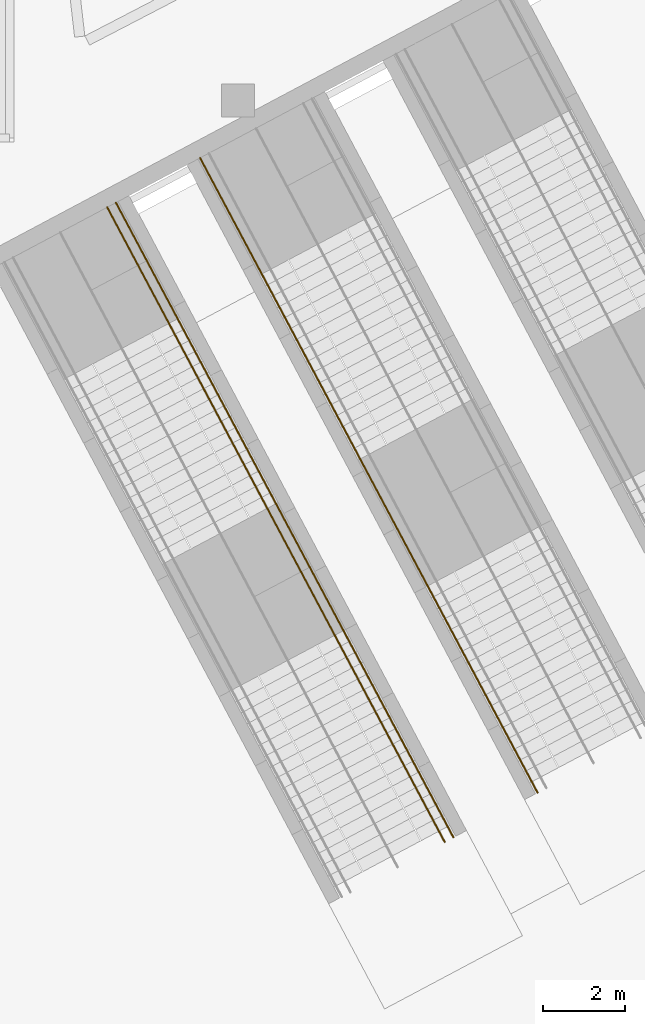
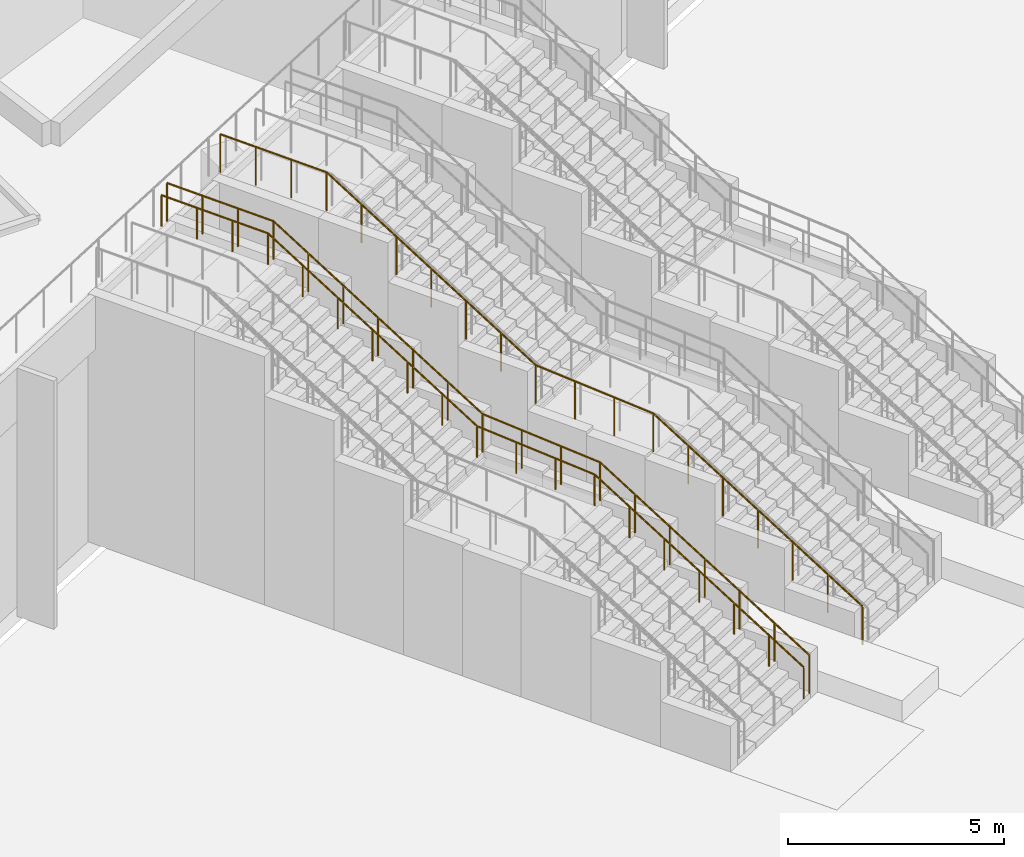
# One storey, part 47 of 57: 3 railings.
"""IFC4 building model written with IfcOpenShell, lengths in metres."""

import ifcopenshell
import ifcopenshell.guid

model = None  # the IFC model being written
_history = None  # IfcOwnerHistory: only IFC2X3 demands one
_inside = {}  # id of a spatial element -> (the spatial element, [elements in it])
_under = {}  # id of a project, library or spatial element -> (it, [spatial elements below it])
_declared = {}  # id of a project -> (the project, [libraries it declares])
_typed = {}  # id of a type object -> (the type object, [elements of that type])
_made_of = {}  # id of a material, layer set ... -> (it, [elements and type objects made of it])


def new_model(schema):
    """Start an empty IFC model of exactly this schema.

    Asked for "IFC4X3", IfcOpenShell would pick the latest addendum, in which some entities
    have other attributes; the version numbers below select the first issue.
    IFC2X3 requires an IfcOwnerHistory on every rooted entity: one is made here for all.
    """
    global model, _history
    if schema == "IFC4X3":
        model = ifcopenshell.file(schema_version=(4, 3, 0, 0))
    else:
        model = ifcopenshell.file(schema=schema)
    _inside.clear()
    _under.clear()
    _declared.clear()
    _typed.clear()
    _made_of.clear()
    _history = None
    if model.schema == "IFC2X3":
        org = make("IfcOrganization", Name="unknown")
        user = make(
            "IfcPersonAndOrganization",
            ThePerson=make("IfcPerson", FamilyName="unknown"),
            TheOrganization=org,
        )
        app = make(
            "IfcApplication",
            ApplicationDeveloper=org,
            Version="unknown",
            ApplicationFullName="unknown",
            ApplicationIdentifier="unknown",
        )
        _history = make(
            "IfcOwnerHistory",
            OwningUser=user,
            OwningApplication=app,
            ChangeAction="ADDED",
            CreationDate=0,
        )
    return model


def make(cls, **values):
    """One entity of the class cls with the attributes given. An attribute that is None is left unset."""
    return model.create_entity(
        cls, **{name: value for name, value in values.items() if value is not None}
    )


def rooted(cls, **values):
    """An entity with a GlobalId (a new one), such as an element, a storey or a relation."""
    return make(cls, GlobalId=ifcopenshell.guid.new(), OwnerHistory=_history, **values)


def si_unit(unit_type, name, prefix=None):
    """IfcSIUnit, for example si_unit("LENGTHUNIT", "METRE", prefix="MILLI")."""
    return make("IfcSIUnit", UnitType=unit_type, Prefix=prefix, Name=name)


def assignment(units):
    """IfcUnitAssignment: the units of a project."""
    return None if units is None else make("IfcUnitAssignment", Units=units)


def point(xyz):
    """IfcCartesianPoint."""
    return None if xyz is None else make("IfcCartesianPoint", Coordinates=xyz)


def direction(xyz):
    """IfcDirection."""
    return None if xyz is None else make("IfcDirection", DirectionRatios=xyz)


def frame(location, z_axis=None, x_axis=None):
    """IfcAxis2Placement3D, a coordinate frame: its origin and axes. An axis left out is left unset."""
    return make(
        "IfcAxis2Placement3D",
        Location=point(location),
        Axis=direction(z_axis),
        RefDirection=direction(x_axis),
    )


def origin():
    """The frame at (0, 0, 0) with its axes left unset."""
    return frame((0.0, 0.0, 0.0))


def place(relative_to, where):
    """IfcLocalPlacement: puts the frame where relative to a parent placement (None: the world)."""
    return make(
        "IfcLocalPlacement", PlacementRelTo=relative_to, RelativePlacement=where
    )


def context(
    kind, dimensions, precision=None, world=None, true_north=None, identifier=None
):
    """IfcGeometricRepresentationContext, for example the 3D "Model" context."""
    return make(
        "IfcGeometricRepresentationContext",
        ContextIdentifier=identifier,
        ContextType=kind,
        CoordinateSpaceDimension=dimensions,
        Precision=precision,
        WorldCoordinateSystem=world,
        TrueNorth=true_north,
    )


def subcontext(parent, identifier, kind, view, scale=None):
    """IfcGeometricRepresentationSubContext, for example "Body" below "Model"."""
    return make(
        "IfcGeometricRepresentationSubContext",
        ContextIdentifier=identifier,
        ContextType=kind,
        ParentContext=parent,
        TargetScale=scale,
        TargetView=view,
    )


def project(units=None, contexts=None):
    """IfcProject with its units and contexts."""
    return rooted(
        "IfcProject",
        Name="project",
        RepresentationContexts=contexts,
        UnitsInContext=assignment(units),
    )


def spatial(cls, under=None, at=None, **own):
    """A site, building, storey or space (cls), placed at a placement, below another one or the project."""
    s = rooted(cls, ObjectPlacement=at, **own)
    if under is not None:
        _under.setdefault(under.id(), (under, []))[1].append(s)
    return s


def polyline(points):
    """IfcPolyline through the points."""
    return make("IfcPolyline", Points=[point(p) for p in points])


def outline(outer, holes=None, kind="AREA"):
    """IfcArbitraryClosedProfileDef: a profile drawn as a closed curve; with holes, ...WithVoids."""
    if holes is None:
        return make("IfcArbitraryClosedProfileDef", ProfileType=kind, OuterCurve=outer)
    return make(
        "IfcArbitraryProfileDefWithVoids",
        ProfileType=kind,
        OuterCurve=outer,
        InnerCurves=holes,
    )


def extrude(swept, where, along, depth):
    """IfcExtrudedAreaSolid: the profile swept, set in the frame where, extruded along a direction by depth."""
    return make(
        "IfcExtrudedAreaSolid",
        SweptArea=swept,
        Position=where,
        ExtrudedDirection=direction(along),
        Depth=depth,
    )


def shape(context_of_items, identifier, shape_type, items):
    """IfcShapeRepresentation: the items that make up one representation, for example the "Body"."""
    return make(
        "IfcShapeRepresentation",
        ContextOfItems=context_of_items,
        RepresentationIdentifier=identifier,
        RepresentationType=shape_type,
        Items=items,
    )


def material(Name=None, Category=None):
    """IfcMaterial."""
    return make("IfcMaterial", Name=Name, Category=Category)


def made_of(thing, what):
    """Note that an element or type object is made of a material, layer set ...; save() writes the relation."""
    if what is not None:
        _made_of.setdefault(what.id(), (what, []))[1].append(thing)
    return thing


def type_object(cls, material=None, **own):
    """A type object (cls), such as IfcWallType, which elements share."""
    return made_of(rooted(cls, **own), material)


def element(
    cls,
    number,
    at=None,
    inside=None,
    cuts=None,
    type_object=None,
    material=None,
    context=None,
    identifier="Body",
    shape_type=None,
    held_by="IfcProductDefinitionShape",
    body=None,
    shapes=None,
    **own,
):
    """One element of the class cls, such as IfcWall. Its Tag is "e" and its number.

    at: its placement. inside: the storey or other place that contains it. cuts: it is an
    opening in that element (IfcRelVoidsElement). A single representation is given by context,
    identifier, shape_type and body (its items); several are given by shapes. held_by: the class
    of the entity that holds the representations. save() writes the other relations.
    """
    e = rooted(cls, Tag="e%d" % number, ObjectPlacement=at, **own)
    if body is not None:
        shapes = [shape(context, identifier, shape_type, body)]
    if shapes is not None:
        e.Representation = make(held_by, Representations=shapes)
    if inside is not None:
        _inside.setdefault(inside.id(), (inside, []))[1].append(e)
    if cuts is not None:
        rooted(
            "IfcRelVoidsElement", RelatingBuildingElement=cuts, RelatedOpeningElement=e
        )
    if type_object is not None:
        _typed.setdefault(type_object.id(), (type_object, []))[1].append(e)
    return made_of(e, material)


def aggregate(whole, parts):
    """IfcRelAggregates: a whole, such as a stair, and the parts it consists of."""
    return rooted("IfcRelAggregates", RelatingObject=whole, RelatedObjects=parts)


def save(model, path):
    """Write the relations noted so far, then the file.

    IfcRelAggregates (storeys below a building ...), IfcRelContainedInSpatialStructure (elements
    in a storey), IfcRelDefinesByType, IfcRelAssociatesMaterial and IfcRelDeclares: one each for
    every whole, place, type object, material and project.
    """
    for whole, parts in _under.values():
        aggregate(whole, parts)
    for where, things in _inside.values():
        rooted(
            "IfcRelContainedInSpatialStructure",
            RelatedElements=things,
            RelatingStructure=where,
        )
    for kind, things in _typed.values():
        rooted("IfcRelDefinesByType", RelatedObjects=things, RelatingType=kind)
    for what, things in _made_of.values():
        rooted("IfcRelAssociatesMaterial", RelatedObjects=things, RelatingMaterial=what)
    for by, libraries in _declared.values():
        rooted("IfcRelDeclares", RelatingContext=by, RelatedDefinitions=libraries)
    model.write(path)


model = new_model("IFC4")

# Units and contexts
model_context = context("Model", 3, precision=1e-05, world=origin(), true_north=direction((0.0, 1.0)))
body_context = subcontext(model_context, "Body", "Model", "MODEL_VIEW")
ifc_project = project(units=[si_unit("LENGTHUNIT", "METRE"), si_unit("AREAUNIT", "SQUARE_METRE"), si_unit("VOLUMEUNIT", "CUBIC_METRE"), si_unit("PLANEANGLEUNIT", "RADIAN"), si_unit("MASSUNIT", "GRAM", prefix="KILO")], contexts=[model_context])

# Site, building, storey
site_placement = place(None, origin())
site = spatial("IfcSite", under=ifc_project, at=site_placement, CompositionType="ELEMENT")
building_placement = place(site_placement, origin())
building = spatial("IfcBuilding", under=site, at=building_placement, Name="Cormorant Relay Tower", CompositionType="ELEMENT")
storey_placement = place(building_placement, origin())
storey = spatial("IfcBuildingStorey", under=building, at=storey_placement, Name="L00", CompositionType="ELEMENT", Elevation=0.0)

# Railings
ifc_material_1 = material(Name="Stainless steel 316", Category="steel")
railing_type_1 = type_object("IfcRailingType", Name="Podium stair handrail 900", PredefinedType="HANDRAIL", material=ifc_material_1)
railing_1_placement = place(storey_placement, frame((39.602783203125, -16.317626953125, 7.0)))
element("IfcRailing", 1, at=railing_1_placement, inside=storey, type_object=railing_type_1, Name="Stair handrail", PredefinedType="HANDRAIL", context=body_context, shape_type="SweptSolid", body=[
    extrude(outline(polyline([(0.022216796875, 0.00927734375), (0.00927734375, 0.022216796875), (-0.00927734375, 0.022216796875), (-0.022216796875, 0.00927734375), (-0.022216796875, -0.00927734375), (-0.00927734375, -0.022216796875), (0.00927734375, -0.022216796875), (0.022216796875, -0.00927734375), (0.022216796875, 0.00927734375)])), frame((0.0, 0.0, 0.8759765625), z_axis=(0.469399355339, -0.882985982452, 0.0), x_axis=(0.882985982452, 0.469399355339, 0.0)), (0.0, 0.0, 1.0), 2.900146484375),
    extrude(outline(polyline([(0.022216796875, 0.00927734375), (0.00927734375, 0.022216796875), (-0.00927734375, 0.022216796875), (-0.022216796875, 0.00927734375), (-0.022216796875, -0.00927734375), (-0.00927734375, -0.022216796875), (0.00927734375, -0.022216796875), (0.022216796875, -0.00927734375), (0.022216796875, 0.00927734375)])), frame((1.361328125, -2.560791015625, 0.8759765625), z_axis=(0.40552993965, -0.762667108471, -0.50386937762), x_axis=(0.882941524652, 0.469482975245, 0.0)), (0.0, 0.0, 1.0), 6.598876953125),
    extrude(outline(polyline([(0.022216796875, 0.00927734375), (0.00927734375, 0.022216796875), (-0.00927734375, 0.022216796875), (-0.022216796875, 0.00927734375), (-0.022216796875, -0.00927734375), (-0.00927734375, -0.022216796875), (0.00927734375, -0.022216796875), (0.022216796875, -0.00927734375), (0.022216796875, 0.00927734375)])), frame((4.037353515625, -7.593505859375, -2.44921875), z_axis=(0.468742586737, -0.881644394004, -0.054621881146), x_axis=(0.88296255937, 0.469443413791, 0.0)), (0.0, 0.0, 1.0), 3.204833984375),
    extrude(outline(polyline([(0.022216796875, 0.00927734375), (0.00927734375, 0.022216796875), (-0.00927734375, 0.022216796875), (-0.022216796875, 0.00927734375), (-0.022216796875, -0.00927734375), (-0.00927734375, -0.022216796875), (0.00927734375, -0.022216796875), (0.022216796875, -0.00927734375), (0.022216796875, 0.00927734375)])), frame((5.53955078125, -10.4189453125, -2.6240234375), z_axis=(0.40552993965, -0.762667108471, -0.50386937762), x_axis=(0.882941524652, 0.469482975245, 0.0)), (0.0, 0.0, 1.0), 6.598876953125),
    extrude(outline(polyline([(0.019287109375, 0.008056640625), (0.008056640625, 0.019287109375), (-0.008056640625, 0.019287109375), (-0.019287109375, 0.008056640625), (-0.019287109375, -0.008056640625), (-0.008056640625, -0.019287109375), (0.008056640625, -0.019287109375), (0.019287109375, -0.008056640625), (0.019287109375, 0.008056640625)])), origin(), (0.0, 0.0, 1.0), 0.851806640625),
    extrude(outline(polyline([(0.019287109375, 0.008056640625), (0.008056640625, 0.019287109375), (-0.008056640625, 0.019287109375), (-0.019287109375, 0.008056640625), (-0.019287109375, -0.008056640625), (-0.008056640625, -0.019287109375), (0.008056640625, -0.019287109375), (0.019287109375, -0.008056640625), (0.019287109375, 0.008056640625)])), frame((0.453857421875, -0.853515625, 0.0)), (0.0, 0.0, 1.0), 0.851806640625),
    extrude(outline(polyline([(0.019287109375, 0.008056640625), (0.008056640625, 0.019287109375), (-0.008056640625, 0.019287109375), (-0.019287109375, 0.008056640625), (-0.019287109375, -0.008056640625), (-0.008056640625, -0.019287109375), (0.008056640625, -0.019287109375), (0.019287109375, -0.008056640625), (0.019287109375, 0.008056640625)])), frame((0.907470703125, -1.707275390625, 0.0)), (0.0, 0.0, 1.0), 0.851806640625),
    extrude(outline(polyline([(0.019287109375, 0.008056640625), (0.008056640625, 0.019287109375), (-0.008056640625, 0.019287109375), (-0.019287109375, 0.008056640625), (-0.019287109375, -0.008056640625), (-0.008056640625, -0.019287109375), (0.008056640625, -0.019287109375), (0.019287109375, -0.008056640625), (0.019287109375, 0.008056640625)])), frame((1.361328125, -2.560791015625, 0.0)), (0.0, 0.0, 1.0), 0.851806640625),
    extrude(outline(polyline([(0.019287109375, 0.008056640625), (0.008056640625, 0.019287109375), (-0.008056640625, 0.019287109375), (-0.019287109375, 0.008056640625), (-0.019287109375, -0.008056640625), (-0.008056640625, -0.019287109375), (0.008056640625, -0.019287109375), (0.019287109375, -0.008056640625), (0.019287109375, 0.008056640625)])), frame((1.807373046875, -3.399658203125, -0.55419921875)), (0.0, 0.0, 1.0), 0.851806640625),
    extrude(outline(polyline([(0.019287109375, 0.008056640625), (0.008056640625, 0.019287109375), (-0.008056640625, 0.019287109375), (-0.019287109375, 0.008056640625), (-0.019287109375, -0.008056640625), (-0.008056640625, -0.019287109375), (0.008056640625, -0.019287109375), (0.019287109375, -0.008056640625), (0.019287109375, 0.008056640625)])), frame((2.25341796875, -4.23828125, -1.1083984375)), (0.0, 0.0, 1.0), 0.851806640625),
    extrude(outline(polyline([(0.019287109375, 0.008056640625), (0.008056640625, 0.019287109375), (-0.008056640625, 0.019287109375), (-0.019287109375, 0.008056640625), (-0.019287109375, -0.008056640625), (-0.008056640625, -0.019287109375), (0.008056640625, -0.019287109375), (0.019287109375, -0.008056640625), (0.019287109375, 0.008056640625)])), frame((2.69921875, -5.0771484375, -1.66259765625)), (0.0, 0.0, 1.0), 0.851806640625),
    extrude(outline(polyline([(0.019287109375, 0.008056640625), (0.008056640625, 0.019287109375), (-0.008056640625, 0.019287109375), (-0.019287109375, 0.008056640625), (-0.019287109375, -0.008056640625), (-0.008056640625, -0.019287109375), (0.008056640625, -0.019287109375), (0.019287109375, -0.008056640625), (0.019287109375, 0.008056640625)])), frame((3.145263671875, -5.916015625, -2.216552734375)), (0.0, 0.0, 1.0), 0.851806640625),
    extrude(outline(polyline([(0.019287109375, 0.008056640625), (0.008056640625, 0.019287109375), (-0.008056640625, 0.019287109375), (-0.019287109375, 0.008056640625), (-0.019287109375, -0.008056640625), (-0.008056640625, -0.019287109375), (0.008056640625, -0.019287109375), (0.019287109375, -0.008056640625), (0.019287109375, 0.008056640625)])), frame((3.59130859375, -6.754638671875, -2.770751953125)), (0.0, 0.0, 1.0), 0.851806640625),
    extrude(outline(polyline([(0.019287109375, 0.008056640625), (0.008056640625, 0.019287109375), (-0.008056640625, 0.019287109375), (-0.019287109375, 0.008056640625), (-0.019287109375, -0.008056640625), (-0.008056640625, -0.019287109375), (0.008056640625, -0.019287109375), (0.019287109375, -0.008056640625), (0.019287109375, 0.008056640625)])), frame((4.037353515625, -7.593505859375, -3.324951171875)), (0.0, 0.0, 1.0), 0.851806640625),
    extrude(outline(polyline([(0.019287109375, 0.008056640625), (0.008056640625, 0.019287109375), (-0.008056640625, 0.019287109375), (-0.019287109375, 0.008056640625), (-0.019287109375, -0.008056640625), (-0.008056640625, -0.019287109375), (0.008056640625, -0.019287109375), (0.019287109375, -0.008056640625), (0.019287109375, 0.008056640625)])), frame((4.5380859375, -8.535400390625, -3.38330078125)), (0.0, 0.0, 1.0), 0.851806640625),
    extrude(outline(polyline([(0.019287109375, 0.008056640625), (0.008056640625, 0.019287109375), (-0.008056640625, 0.019287109375), (-0.019287109375, 0.008056640625), (-0.019287109375, -0.008056640625), (-0.008056640625, -0.019287109375), (0.008056640625, -0.019287109375), (0.019287109375, -0.008056640625), (0.019287109375, 0.008056640625)])), frame((5.038818359375, -9.47705078125, -3.441650390625)), (0.0, 0.0, 1.0), 0.851806640625),
    extrude(outline(polyline([(0.019287109375, 0.008056640625), (0.008056640625, 0.019287109375), (-0.008056640625, 0.019287109375), (-0.019287109375, 0.008056640625), (-0.019287109375, -0.008056640625), (-0.008056640625, -0.019287109375), (0.008056640625, -0.019287109375), (0.019287109375, -0.008056640625), (0.019287109375, 0.008056640625)])), frame((5.53955078125, -10.4189453125, -3.5)), (0.0, 0.0, 1.0), 0.851806640625),
    extrude(outline(polyline([(0.019287109375, 0.008056640625), (0.008056640625, 0.019287109375), (-0.008056640625, 0.019287109375), (-0.019287109375, 0.008056640625), (-0.019287109375, -0.008056640625), (-0.008056640625, -0.019287109375), (0.008056640625, -0.019287109375), (0.019287109375, -0.008056640625), (0.019287109375, 0.008056640625)])), frame((5.985595703125, -11.2578125, -4.05419921875)), (0.0, 0.0, 1.0), 0.851806640625),
    extrude(outline(polyline([(0.019287109375, 0.008056640625), (0.008056640625, 0.019287109375), (-0.008056640625, 0.019287109375), (-0.019287109375, 0.008056640625), (-0.019287109375, -0.008056640625), (-0.008056640625, -0.019287109375), (0.008056640625, -0.019287109375), (0.019287109375, -0.008056640625), (0.019287109375, 0.008056640625)])), frame((6.431640625, -12.096435546875, -4.6083984375)), (0.0, 0.0, 1.0), 0.851806640625),
    extrude(outline(polyline([(0.019287109375, 0.008056640625), (0.008056640625, 0.019287109375), (-0.008056640625, 0.019287109375), (-0.019287109375, 0.008056640625), (-0.019287109375, -0.008056640625), (-0.008056640625, -0.019287109375), (0.008056640625, -0.019287109375), (0.019287109375, -0.008056640625), (0.019287109375, 0.008056640625)])), frame((6.87744140625, -12.935302734375, -5.16259765625)), (0.0, 0.0, 1.0), 0.851806640625),
    extrude(outline(polyline([(0.019287109375, 0.008056640625), (0.008056640625, 0.019287109375), (-0.008056640625, 0.019287109375), (-0.019287109375, 0.008056640625), (-0.019287109375, -0.008056640625), (-0.008056640625, -0.019287109375), (0.008056640625, -0.019287109375), (0.019287109375, -0.008056640625), (0.019287109375, 0.008056640625)])), frame((7.323486328125, -13.774169921875, -5.716552734375)), (0.0, 0.0, 1.0), 0.851806640625),
    extrude(outline(polyline([(0.019287109375, 0.008056640625), (0.008056640625, 0.019287109375), (-0.008056640625, 0.019287109375), (-0.019287109375, 0.008056640625), (-0.019287109375, -0.008056640625), (-0.008056640625, -0.019287109375), (0.008056640625, -0.019287109375), (0.019287109375, -0.008056640625), (0.019287109375, 0.008056640625)])), frame((7.76953125, -14.61279296875, -6.270751953125)), (0.0, 0.0, 1.0), 0.851806640625),
    extrude(outline(polyline([(0.019287109375, 0.008056640625), (0.008056640625, 0.019287109375), (-0.008056640625, 0.019287109375), (-0.019287109375, 0.008056640625), (-0.019287109375, -0.008056640625), (-0.008056640625, -0.019287109375), (0.008056640625, -0.019287109375), (0.019287109375, -0.008056640625), (0.019287109375, 0.008056640625)])), frame((8.215576171875, -15.45166015625, -6.824951171875)), (0.0, 0.0, 1.0), 0.851806640625),
])
ifc_material_2 = material(Name="Bronze anodised aluminium", Category="aluminium")
railing_type_2 = type_object("IfcRailingType", Name="Stair guard steel 1100", PredefinedType="GUARDRAIL", material=ifc_material_2)
railing_2_placement = place(storey_placement, frame((39.814697265625, -16.205078125, 7.0)))
element("IfcRailing", 2, at=railing_2_placement, inside=storey, type_object=railing_type_2, Name="Stair guard", PredefinedType="GUARDRAIL", context=body_context, shape_type="SweptSolid", body=[
    extrude(outline(polyline([(0.022216796875, 0.00927734375), (0.00927734375, 0.022216796875), (-0.00927734375, 0.022216796875), (-0.022216796875, 0.00927734375), (-0.022216796875, -0.00927734375), (-0.00927734375, -0.022216796875), (0.00927734375, -0.022216796875), (0.022216796875, -0.00927734375), (0.022216796875, 0.00927734375)])), frame((0.0, 0.0, 1.076171875), z_axis=(0.469434248776, -0.882967432059, 0.0), x_axis=(0.882967432059, 0.469434248776, 0.0)), (0.0, 0.0, 1.0), 2.89990234375),
    extrude(outline(polyline([(0.022216796875, 0.00927734375), (0.00927734375, 0.022216796875), (-0.00927734375, 0.022216796875), (-0.022216796875, 0.00927734375), (-0.022216796875, -0.00927734375), (-0.00927734375, -0.022216796875), (0.00927734375, -0.022216796875), (0.022216796875, -0.00927734375), (0.022216796875, 0.00927734375)])), frame((1.361328125, -2.560546875, 1.076171875), z_axis=(0.40552993965, -0.762667108471, -0.50386937762), x_axis=(0.882941524652, 0.469482975245, 0.0)), (0.0, 0.0, 1.0), 6.598876953125),
    extrude(outline(polyline([(0.022216796875, 0.00927734375), (0.00927734375, 0.022216796875), (-0.00927734375, 0.022216796875), (-0.022216796875, 0.00927734375), (-0.022216796875, -0.00927734375), (-0.00927734375, -0.022216796875), (0.00927734375, -0.022216796875), (0.022216796875, -0.00927734375), (0.022216796875, 0.00927734375)])), frame((4.037353515625, -7.59326171875, -2.2490234375), z_axis=(0.468742586737, -0.881644394004, -0.054621881146), x_axis=(0.88296255937, 0.469443413791, 0.0)), (0.0, 0.0, 1.0), 3.204833984375),
    extrude(outline(polyline([(0.022216796875, 0.00927734375), (0.00927734375, 0.022216796875), (-0.00927734375, 0.022216796875), (-0.022216796875, 0.00927734375), (-0.022216796875, -0.00927734375), (-0.00927734375, -0.022216796875), (0.00927734375, -0.022216796875), (0.022216796875, -0.00927734375), (0.022216796875, 0.00927734375)])), frame((5.53955078125, -10.418701171875, -2.423828125), z_axis=(0.40552993965, -0.762667108471, -0.50386937762), x_axis=(0.882941524652, 0.469482975245, 0.0)), (0.0, 0.0, 1.0), 6.598876953125),
    extrude(outline(polyline([(0.019287109375, 0.008056640625), (0.008056640625, 0.019287109375), (-0.008056640625, 0.019287109375), (-0.019287109375, 0.008056640625), (-0.019287109375, -0.008056640625), (-0.008056640625, -0.019287109375), (0.008056640625, -0.019287109375), (0.019287109375, -0.008056640625), (0.019287109375, 0.008056640625)])), origin(), (0.0, 0.0, 1.0), 1.052001953125),
    extrude(outline(polyline([(0.019287109375, 0.008056640625), (0.008056640625, 0.019287109375), (-0.008056640625, 0.019287109375), (-0.019287109375, 0.008056640625), (-0.019287109375, -0.008056640625), (-0.008056640625, -0.019287109375), (0.008056640625, -0.019287109375), (0.019287109375, -0.008056640625), (0.019287109375, 0.008056640625)])), frame((0.453857421875, -0.853515625, 0.0)), (0.0, 0.0, 1.0), 1.052001953125),
    extrude(outline(polyline([(0.019287109375, 0.008056640625), (0.008056640625, 0.019287109375), (-0.008056640625, 0.019287109375), (-0.019287109375, 0.008056640625), (-0.019287109375, -0.008056640625), (-0.008056640625, -0.019287109375), (0.008056640625, -0.019287109375), (0.019287109375, -0.008056640625), (0.019287109375, 0.008056640625)])), frame((0.907470703125, -1.70703125, 0.0)), (0.0, 0.0, 1.0), 1.052001953125),
    extrude(outline(polyline([(0.019287109375, 0.008056640625), (0.008056640625, 0.019287109375), (-0.008056640625, 0.019287109375), (-0.019287109375, 0.008056640625), (-0.019287109375, -0.008056640625), (-0.008056640625, -0.019287109375), (0.008056640625, -0.019287109375), (0.019287109375, -0.008056640625), (0.019287109375, 0.008056640625)])), frame((1.361328125, -2.560546875, 0.0)), (0.0, 0.0, 1.0), 1.052001953125),
    extrude(outline(polyline([(0.019287109375, 0.008056640625), (0.008056640625, 0.019287109375), (-0.008056640625, 0.019287109375), (-0.019287109375, 0.008056640625), (-0.019287109375, -0.008056640625), (-0.008056640625, -0.019287109375), (0.008056640625, -0.019287109375), (0.019287109375, -0.008056640625), (0.019287109375, 0.008056640625)])), frame((1.807373046875, -3.3994140625, -0.55419921875)), (0.0, 0.0, 1.0), 1.052001953125),
    extrude(outline(polyline([(0.019287109375, 0.008056640625), (0.008056640625, 0.019287109375), (-0.008056640625, 0.019287109375), (-0.019287109375, 0.008056640625), (-0.019287109375, -0.008056640625), (-0.008056640625, -0.019287109375), (0.008056640625, -0.019287109375), (0.019287109375, -0.008056640625), (0.019287109375, 0.008056640625)])), frame((2.25341796875, -4.238037109375, -1.1083984375)), (0.0, 0.0, 1.0), 1.052001953125),
    extrude(outline(polyline([(0.019287109375, 0.008056640625), (0.008056640625, 0.019287109375), (-0.008056640625, 0.019287109375), (-0.019287109375, 0.008056640625), (-0.019287109375, -0.008056640625), (-0.008056640625, -0.019287109375), (0.008056640625, -0.019287109375), (0.019287109375, -0.008056640625), (0.019287109375, 0.008056640625)])), frame((2.69921875, -5.076904296875, -1.66259765625)), (0.0, 0.0, 1.0), 1.052001953125),
    extrude(outline(polyline([(0.019287109375, 0.008056640625), (0.008056640625, 0.019287109375), (-0.008056640625, 0.019287109375), (-0.019287109375, 0.008056640625), (-0.019287109375, -0.008056640625), (-0.008056640625, -0.019287109375), (0.008056640625, -0.019287109375), (0.019287109375, -0.008056640625), (0.019287109375, 0.008056640625)])), frame((3.145263671875, -5.915771484375, -2.216552734375)), (0.0, 0.0, 1.0), 1.052001953125),
    extrude(outline(polyline([(0.019287109375, 0.008056640625), (0.008056640625, 0.019287109375), (-0.008056640625, 0.019287109375), (-0.019287109375, 0.008056640625), (-0.019287109375, -0.008056640625), (-0.008056640625, -0.019287109375), (0.008056640625, -0.019287109375), (0.019287109375, -0.008056640625), (0.019287109375, 0.008056640625)])), frame((3.59130859375, -6.75439453125, -2.770751953125)), (0.0, 0.0, 1.0), 1.052001953125),
    extrude(outline(polyline([(0.019287109375, 0.008056640625), (0.008056640625, 0.019287109375), (-0.008056640625, 0.019287109375), (-0.019287109375, 0.008056640625), (-0.019287109375, -0.008056640625), (-0.008056640625, -0.019287109375), (0.008056640625, -0.019287109375), (0.019287109375, -0.008056640625), (0.019287109375, 0.008056640625)])), frame((4.037353515625, -7.59326171875, -3.324951171875)), (0.0, 0.0, 1.0), 1.052001953125),
    extrude(outline(polyline([(0.019287109375, 0.008056640625), (0.008056640625, 0.019287109375), (-0.008056640625, 0.019287109375), (-0.019287109375, 0.008056640625), (-0.019287109375, -0.008056640625), (-0.008056640625, -0.019287109375), (0.008056640625, -0.019287109375), (0.019287109375, -0.008056640625), (0.019287109375, 0.008056640625)])), frame((4.5380859375, -8.53515625, -3.38330078125)), (0.0, 0.0, 1.0), 1.052001953125),
    extrude(outline(polyline([(0.019287109375, 0.008056640625), (0.008056640625, 0.019287109375), (-0.008056640625, 0.019287109375), (-0.019287109375, 0.008056640625), (-0.019287109375, -0.008056640625), (-0.008056640625, -0.019287109375), (0.008056640625, -0.019287109375), (0.019287109375, -0.008056640625), (0.019287109375, 0.008056640625)])), frame((5.038818359375, -9.476806640625, -3.441650390625)), (0.0, 0.0, 1.0), 1.052001953125),
    extrude(outline(polyline([(0.019287109375, 0.008056640625), (0.008056640625, 0.019287109375), (-0.008056640625, 0.019287109375), (-0.019287109375, 0.008056640625), (-0.019287109375, -0.008056640625), (-0.008056640625, -0.019287109375), (0.008056640625, -0.019287109375), (0.019287109375, -0.008056640625), (0.019287109375, 0.008056640625)])), frame((5.53955078125, -10.418701171875, -3.5)), (0.0, 0.0, 1.0), 1.052001953125),
    extrude(outline(polyline([(0.019287109375, 0.008056640625), (0.008056640625, 0.019287109375), (-0.008056640625, 0.019287109375), (-0.019287109375, 0.008056640625), (-0.019287109375, -0.008056640625), (-0.008056640625, -0.019287109375), (0.008056640625, -0.019287109375), (0.019287109375, -0.008056640625), (0.019287109375, 0.008056640625)])), frame((5.985595703125, -11.257568359375, -4.05419921875)), (0.0, 0.0, 1.0), 1.052001953125),
    extrude(outline(polyline([(0.019287109375, 0.008056640625), (0.008056640625, 0.019287109375), (-0.008056640625, 0.019287109375), (-0.019287109375, 0.008056640625), (-0.019287109375, -0.008056640625), (-0.008056640625, -0.019287109375), (0.008056640625, -0.019287109375), (0.019287109375, -0.008056640625), (0.019287109375, 0.008056640625)])), frame((6.431640625, -12.09619140625, -4.6083984375)), (0.0, 0.0, 1.0), 1.052001953125),
    extrude(outline(polyline([(0.019287109375, 0.008056640625), (0.008056640625, 0.019287109375), (-0.008056640625, 0.019287109375), (-0.019287109375, 0.008056640625), (-0.019287109375, -0.008056640625), (-0.008056640625, -0.019287109375), (0.008056640625, -0.019287109375), (0.019287109375, -0.008056640625), (0.019287109375, 0.008056640625)])), frame((6.87744140625, -12.93505859375, -5.16259765625)), (0.0, 0.0, 1.0), 1.052001953125),
    extrude(outline(polyline([(0.019287109375, 0.008056640625), (0.008056640625, 0.019287109375), (-0.008056640625, 0.019287109375), (-0.019287109375, 0.008056640625), (-0.019287109375, -0.008056640625), (-0.008056640625, -0.019287109375), (0.008056640625, -0.019287109375), (0.019287109375, -0.008056640625), (0.019287109375, 0.008056640625)])), frame((7.323486328125, -13.77392578125, -5.716552734375)), (0.0, 0.0, 1.0), 1.052001953125),
    extrude(outline(polyline([(0.019287109375, 0.008056640625), (0.008056640625, 0.019287109375), (-0.008056640625, 0.019287109375), (-0.019287109375, 0.008056640625), (-0.019287109375, -0.008056640625), (-0.008056640625, -0.019287109375), (0.008056640625, -0.019287109375), (0.019287109375, -0.008056640625), (0.019287109375, 0.008056640625)])), frame((7.76953125, -14.612548828125, -6.270751953125)), (0.0, 0.0, 1.0), 1.052001953125),
    extrude(outline(polyline([(0.019287109375, 0.008056640625), (0.008056640625, 0.019287109375), (-0.008056640625, 0.019287109375), (-0.019287109375, 0.008056640625), (-0.019287109375, -0.008056640625), (-0.008056640625, -0.019287109375), (0.008056640625, -0.019287109375), (0.019287109375, -0.008056640625), (0.019287109375, 0.008056640625)])), frame((8.215576171875, -15.451416015625, -6.824951171875)), (0.0, 0.0, 1.0), 1.052001953125),
])
railing_3_placement = place(storey_placement, frame((41.863037109375, -15.115966796875, 7.0)))
element("IfcRailing", 3, at=railing_3_placement, inside=storey, type_object=railing_type_2, Name="Stair guard", PredefinedType="GUARDRAIL", context=body_context, shape_type="SweptSolid", body=[
    extrude(outline(polyline([(0.022216796875, 0.00927734375), (0.00927734375, 0.022216796875), (-0.00927734375, 0.022216796875), (-0.022216796875, 0.00927734375), (-0.022216796875, -0.00927734375), (-0.00927734375, -0.022216796875), (0.00927734375, -0.022216796875), (0.022216796875, -0.00927734375), (0.022216796875, 0.00927734375)])), frame((0.0, 0.0, 1.076171875), z_axis=(0.469499880774, -0.882932535335, 0.0), x_axis=(0.882932535335, 0.469499880774, 0.0)), (0.0, 0.0, 1.0), 2.900146484375),
    extrude(outline(polyline([(0.022216796875, 0.00927734375), (0.00927734375, 0.022216796875), (-0.00927734375, 0.022216796875), (-0.022216796875, 0.00927734375), (-0.022216796875, -0.00927734375), (-0.00927734375, -0.022216796875), (0.00927734375, -0.022216796875), (0.022216796875, -0.00927734375), (0.022216796875, 0.00927734375)])), frame((1.361572265625, -2.560546875, 1.076171875), z_axis=(0.405499025835, -0.762678550964, -0.503876937304), x_axis=(0.88295927941, 0.469449582921, 0.0)), (0.0, 0.0, 1.0), 6.5986328125),
    extrude(outline(polyline([(0.022216796875, 0.00927734375), (0.00927734375, 0.022216796875), (-0.00927734375, 0.022216796875), (-0.022216796875, 0.00927734375), (-0.022216796875, -0.00927734375), (-0.00927734375, -0.022216796875), (0.00927734375, -0.022216796875), (0.022216796875, -0.00927734375), (0.022216796875, 0.00927734375)])), frame((4.037353515625, -7.59326171875, -2.2490234375), z_axis=(0.468802026207, -0.881612910187, -0.05461993058), x_axis=(0.88293093413, 0.469502891958, 0.0)), (0.0, 0.0, 1.0), 3.204833984375),
    extrude(outline(polyline([(0.022216796875, 0.00927734375), (0.00927734375, 0.022216796875), (-0.00927734375, 0.022216796875), (-0.022216796875, 0.00927734375), (-0.022216796875, -0.00927734375), (-0.00927734375, -0.022216796875), (0.00927734375, -0.022216796875), (0.022216796875, -0.00927734375), (0.022216796875, 0.00927734375)])), frame((5.539794921875, -10.418701171875, -2.423828125), z_axis=(0.405499025835, -0.762678550964, -0.503876937304), x_axis=(0.88295927941, 0.469449582921, 0.0)), (0.0, 0.0, 1.0), 6.5986328125),
    extrude(outline(polyline([(0.019287109375, 0.008056640625), (0.008056640625, 0.019287109375), (-0.008056640625, 0.019287109375), (-0.019287109375, 0.008056640625), (-0.019287109375, -0.008056640625), (-0.008056640625, -0.019287109375), (0.008056640625, -0.019287109375), (0.019287109375, -0.008056640625), (0.019287109375, 0.008056640625)])), origin(), (0.0, 0.0, 1.0), 1.052001953125),
    extrude(outline(polyline([(0.019287109375, 0.008056640625), (0.008056640625, 0.019287109375), (-0.008056640625, 0.019287109375), (-0.019287109375, 0.008056640625), (-0.019287109375, -0.008056640625), (-0.008056640625, -0.019287109375), (0.008056640625, -0.019287109375), (0.019287109375, -0.008056640625), (0.019287109375, 0.008056640625)])), frame((0.453857421875, -0.853515625, 0.0)), (0.0, 0.0, 1.0), 1.052001953125),
    extrude(outline(polyline([(0.019287109375, 0.008056640625), (0.008056640625, 0.019287109375), (-0.008056640625, 0.019287109375), (-0.019287109375, 0.008056640625), (-0.019287109375, -0.008056640625), (-0.008056640625, -0.019287109375), (0.008056640625, -0.019287109375), (0.019287109375, -0.008056640625), (0.019287109375, 0.008056640625)])), frame((0.90771484375, -1.70703125, 0.0)), (0.0, 0.0, 1.0), 1.052001953125),
    extrude(outline(polyline([(0.019287109375, 0.008056640625), (0.008056640625, 0.019287109375), (-0.008056640625, 0.019287109375), (-0.019287109375, 0.008056640625), (-0.019287109375, -0.008056640625), (-0.008056640625, -0.019287109375), (0.008056640625, -0.019287109375), (0.019287109375, -0.008056640625), (0.019287109375, 0.008056640625)])), frame((1.361572265625, -2.560546875, 0.0)), (0.0, 0.0, 1.0), 1.052001953125),
    extrude(outline(polyline([(0.019287109375, 0.008056640625), (0.008056640625, 0.019287109375), (-0.008056640625, 0.019287109375), (-0.019287109375, 0.008056640625), (-0.019287109375, -0.008056640625), (-0.008056640625, -0.019287109375), (0.008056640625, -0.019287109375), (0.019287109375, -0.008056640625), (0.019287109375, 0.008056640625)])), frame((1.8076171875, -3.3994140625, -0.55419921875)), (0.0, 0.0, 1.0), 1.052001953125),
    extrude(outline(polyline([(0.019287109375, 0.008056640625), (0.008056640625, 0.019287109375), (-0.008056640625, 0.019287109375), (-0.019287109375, 0.008056640625), (-0.019287109375, -0.008056640625), (-0.008056640625, -0.019287109375), (0.008056640625, -0.019287109375), (0.019287109375, -0.008056640625), (0.019287109375, 0.008056640625)])), frame((2.25341796875, -4.238037109375, -1.1083984375)), (0.0, 0.0, 1.0), 1.052001953125),
    extrude(outline(polyline([(0.019287109375, 0.008056640625), (0.008056640625, 0.019287109375), (-0.008056640625, 0.019287109375), (-0.019287109375, 0.008056640625), (-0.019287109375, -0.008056640625), (-0.008056640625, -0.019287109375), (0.008056640625, -0.019287109375), (0.019287109375, -0.008056640625), (0.019287109375, 0.008056640625)])), frame((2.699462890625, -5.076904296875, -1.66259765625)), (0.0, 0.0, 1.0), 1.052001953125),
    extrude(outline(polyline([(0.019287109375, 0.008056640625), (0.008056640625, 0.019287109375), (-0.008056640625, 0.019287109375), (-0.019287109375, 0.008056640625), (-0.019287109375, -0.008056640625), (-0.008056640625, -0.019287109375), (0.008056640625, -0.019287109375), (0.019287109375, -0.008056640625), (0.019287109375, 0.008056640625)])), frame((3.1455078125, -5.915771484375, -2.216552734375)), (0.0, 0.0, 1.0), 1.052001953125),
    extrude(outline(polyline([(0.019287109375, 0.008056640625), (0.008056640625, 0.019287109375), (-0.008056640625, 0.019287109375), (-0.019287109375, 0.008056640625), (-0.019287109375, -0.008056640625), (-0.008056640625, -0.019287109375), (0.008056640625, -0.019287109375), (0.019287109375, -0.008056640625), (0.019287109375, 0.008056640625)])), frame((3.59130859375, -6.75439453125, -2.770751953125)), (0.0, 0.0, 1.0), 1.052001953125),
    extrude(outline(polyline([(0.019287109375, 0.008056640625), (0.008056640625, 0.019287109375), (-0.008056640625, 0.019287109375), (-0.019287109375, 0.008056640625), (-0.019287109375, -0.008056640625), (-0.008056640625, -0.019287109375), (0.008056640625, -0.019287109375), (0.019287109375, -0.008056640625), (0.019287109375, 0.008056640625)])), frame((4.037353515625, -7.59326171875, -3.324951171875)), (0.0, 0.0, 1.0), 1.052001953125),
    extrude(outline(polyline([(0.019287109375, 0.008056640625), (0.008056640625, 0.019287109375), (-0.008056640625, 0.019287109375), (-0.019287109375, 0.008056640625), (-0.019287109375, -0.008056640625), (-0.008056640625, -0.019287109375), (0.008056640625, -0.019287109375), (0.019287109375, -0.008056640625), (0.019287109375, 0.008056640625)])), frame((4.5380859375, -8.53515625, -3.38330078125)), (0.0, 0.0, 1.0), 1.052001953125),
    extrude(outline(polyline([(0.019287109375, 0.008056640625), (0.008056640625, 0.019287109375), (-0.008056640625, 0.019287109375), (-0.019287109375, 0.008056640625), (-0.019287109375, -0.008056640625), (-0.008056640625, -0.019287109375), (0.008056640625, -0.019287109375), (0.019287109375, -0.008056640625), (0.019287109375, 0.008056640625)])), frame((5.0390625, -9.476806640625, -3.441650390625)), (0.0, 0.0, 1.0), 1.052001953125),
    extrude(outline(polyline([(0.019287109375, 0.008056640625), (0.008056640625, 0.019287109375), (-0.008056640625, 0.019287109375), (-0.019287109375, 0.008056640625), (-0.019287109375, -0.008056640625), (-0.008056640625, -0.019287109375), (0.008056640625, -0.019287109375), (0.019287109375, -0.008056640625), (0.019287109375, 0.008056640625)])), frame((5.539794921875, -10.418701171875, -3.5)), (0.0, 0.0, 1.0), 1.052001953125),
    extrude(outline(polyline([(0.019287109375, 0.008056640625), (0.008056640625, 0.019287109375), (-0.008056640625, 0.019287109375), (-0.019287109375, 0.008056640625), (-0.019287109375, -0.008056640625), (-0.008056640625, -0.019287109375), (0.008056640625, -0.019287109375), (0.019287109375, -0.008056640625), (0.019287109375, 0.008056640625)])), frame((5.98583984375, -11.257568359375, -4.05419921875)), (0.0, 0.0, 1.0), 1.052001953125),
    extrude(outline(polyline([(0.019287109375, 0.008056640625), (0.008056640625, 0.019287109375), (-0.008056640625, 0.019287109375), (-0.019287109375, 0.008056640625), (-0.019287109375, -0.008056640625), (-0.008056640625, -0.019287109375), (0.008056640625, -0.019287109375), (0.019287109375, -0.008056640625), (0.019287109375, 0.008056640625)])), frame((6.431640625, -12.09619140625, -4.6083984375)), (0.0, 0.0, 1.0), 1.052001953125),
    extrude(outline(polyline([(0.019287109375, 0.008056640625), (0.008056640625, 0.019287109375), (-0.008056640625, 0.019287109375), (-0.019287109375, 0.008056640625), (-0.019287109375, -0.008056640625), (-0.008056640625, -0.019287109375), (0.008056640625, -0.019287109375), (0.019287109375, -0.008056640625), (0.019287109375, 0.008056640625)])), frame((6.877685546875, -12.93505859375, -5.16259765625)), (0.0, 0.0, 1.0), 1.052001953125),
    extrude(outline(polyline([(0.019287109375, 0.008056640625), (0.008056640625, 0.019287109375), (-0.008056640625, 0.019287109375), (-0.019287109375, 0.008056640625), (-0.019287109375, -0.008056640625), (-0.008056640625, -0.019287109375), (0.008056640625, -0.019287109375), (0.019287109375, -0.008056640625), (0.019287109375, 0.008056640625)])), frame((7.32373046875, -13.77392578125, -5.716552734375)), (0.0, 0.0, 1.0), 1.052001953125),
    extrude(outline(polyline([(0.019287109375, 0.008056640625), (0.008056640625, 0.019287109375), (-0.008056640625, 0.019287109375), (-0.019287109375, 0.008056640625), (-0.019287109375, -0.008056640625), (-0.008056640625, -0.019287109375), (0.008056640625, -0.019287109375), (0.019287109375, -0.008056640625), (0.019287109375, 0.008056640625)])), frame((7.76953125, -14.612548828125, -6.270751953125)), (0.0, 0.0, 1.0), 1.052001953125),
    extrude(outline(polyline([(0.019287109375, 0.008056640625), (0.008056640625, 0.019287109375), (-0.008056640625, 0.019287109375), (-0.019287109375, 0.008056640625), (-0.019287109375, -0.008056640625), (-0.008056640625, -0.019287109375), (0.008056640625, -0.019287109375), (0.019287109375, -0.008056640625), (0.019287109375, 0.008056640625)])), frame((8.215576171875, -15.451416015625, -6.824951171875)), (0.0, 0.0, 1.0), 1.052001953125),
])

save(model, "model.ifc")
